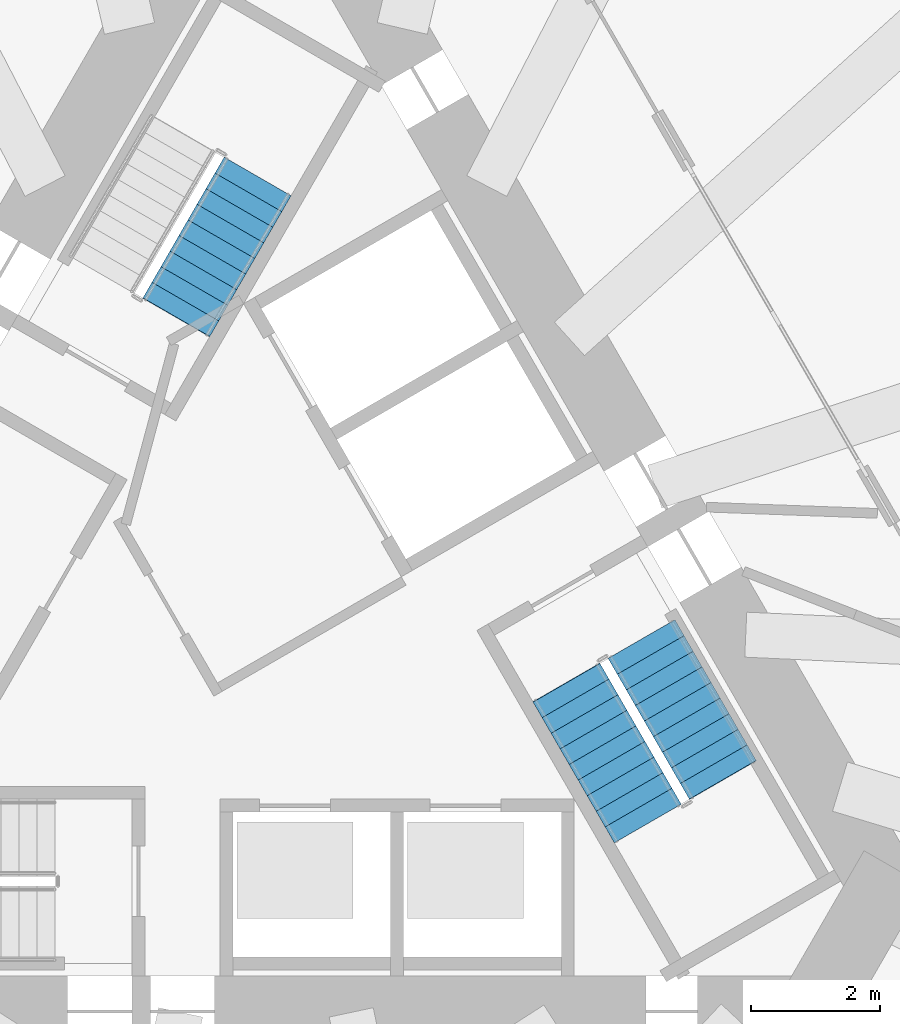
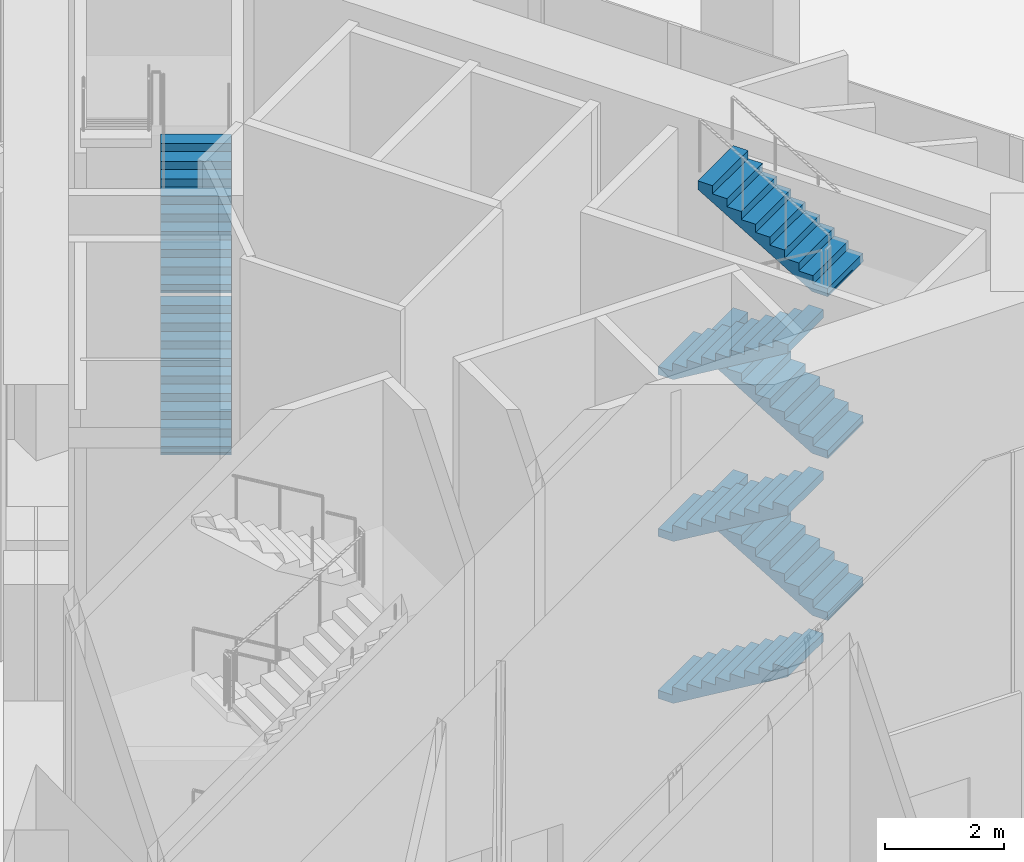
# One storey, part 10 of 13: 8 stair flights, 2 elements without a shape of their own.
"""IFC4 building model written with IfcOpenShell, lengths in metres."""

from ifc_helpers import new_model, si_unit, direction, frame, origin, place, context, subcontext, project, spatial, polyline, outline, extrude, material, layer, layer_set, type_object, element, aggregate, save


model = new_model("IFC4")

# Units and contexts
model_context = context("Model", 3, precision=1e-05, world=origin(), true_north=direction((0.0, 1.0)))
body_context = subcontext(model_context, "Body", "Model", "MODEL_VIEW")
ifc_project = project(units=[si_unit("LENGTHUNIT", "METRE"), si_unit("AREAUNIT", "SQUARE_METRE"), si_unit("VOLUMEUNIT", "CUBIC_METRE"), si_unit("PLANEANGLEUNIT", "RADIAN"), si_unit("MASSUNIT", "GRAM", prefix="KILO")], contexts=[model_context])

# Site, building, storey
site_placement = place(None, origin())
site = spatial("IfcSite", under=ifc_project, at=site_placement, CompositionType="ELEMENT")
building_placement = place(site_placement, origin())
building = spatial("IfcBuilding", under=site, at=building_placement, Name="Tramontana Tower", CompositionType="ELEMENT")
storey_placement = place(building_placement, origin())
storey = spatial("IfcBuildingStorey", under=building, at=storey_placement, Name="L00", CompositionType="ELEMENT", Elevation=0.0)

# Stair, stair flights
ifc_material_1 = material(Name="Concrete 40 MPa", Category="concrete")
stair_type = type_object("IfcStairType", Name="EXIT STAIR 60 RISERS", PredefinedType="HALF_TURN_STAIR", material=ifc_material_1)
stair_1_placement = place(storey_placement, origin())
stair_1 = element("IfcStair", 1, at=stair_1_placement, inside=storey, type_object=stair_type, Name="L00 Exit stair ST1", PredefinedType="HALF_TURN_STAIR")
ifc_material_2 = material(Name="Concrete 40 MPa", Category="concrete")
ifc_layer = layer(ifc_material_2, 0.14990234375)
ifc_layer_set = layer_set([ifc_layer], Name="EXIT STAIR FLIGHT")
stair_flight_type = type_object("IfcStairFlightType", Name="EXIT STAIR FLIGHT", PredefinedType="STRAIGHT", material=ifc_layer_set)
stair_flight_1_placement = place(storey_placement, frame((-1.39111328125, 4.590576171875, 3.333251953125), z_axis=(0.0, 0.0, 1.0), x_axis=(0.5, 0.866025403784, 0.0)))
stair_flight_1 = element("IfcStairFlight", 2, at=stair_flight_1_placement, type_object=stair_flight_type, Name="ST1 flight 3", NumberOfRisers=10, NumberOfTreads=9, PredefinedType="STRAIGHT", RiserHeight=0.166666667, TreadLength=0.28, context=body_context, shape_type="SweptSolid", body=[
    extrude(outline(polyline([(-0.006103515625, 0.0), (-0.006103515625, 0.0400390625), (0.0, 0.0400390625), (0.0, 0.166748046875), (0.280029296875, 0.166748046875), (0.280029296875, 0.333251953125), (0.56005859375, 0.333251953125), (0.56005859375, 0.5), (0.840087890625, 0.5), (0.840087890625, 0.666748046875), (1.1201171875, 0.666748046875), (1.1201171875, 0.833251953125), (1.39990234375, 0.833251953125), (1.39990234375, 1.0), (1.679931640625, 1.0), (1.679931640625, 1.166748046875), (1.9599609375, 1.166748046875), (1.9599609375, 1.333251953125), (2.239990234375, 1.333251953125), (2.239990234375, 1.5), (2.52001953125, 1.5), (2.52587890625, 1.5), (2.52587890625, 1.325439453125), (0.299072265625, 0.0), (-0.006103515625, 0.0)])), frame((0.0, 0.60009765625, 0.0), z_axis=(0.0, -1.0, 0.0), x_axis=(1.0, 0.0, 0.0)), (0.0, 0.0, 1.0), 1.199951171875),
])
stair_flight_2_placement = place(storey_placement, frame((-1.39111328125, 4.590576171875, 6.666748046875), z_axis=(0.0, 0.0, 1.0), x_axis=(0.5, 0.866025403784, 0.0)))
stair_flight_2 = element("IfcStairFlight", 3, at=stair_flight_2_placement, type_object=stair_flight_type, Name="ST1 flight 5", NumberOfRisers=10, NumberOfTreads=9, PredefinedType="STRAIGHT", RiserHeight=0.166666667, TreadLength=0.28, context=body_context, shape_type="SweptSolid", body=[
    extrude(outline(polyline([(-0.006103515625, 0.0), (-0.006103515625, 0.0400390625), (0.0, 0.0400390625), (0.0, 0.166748046875), (0.280029296875, 0.166748046875), (0.280029296875, 0.333251953125), (0.56005859375, 0.333251953125), (0.56005859375, 0.5), (0.840087890625, 0.5), (0.840087890625, 0.666748046875), (1.1201171875, 0.666748046875), (1.1201171875, 0.833251953125), (1.39990234375, 0.833251953125), (1.39990234375, 1.0), (1.679931640625, 1.0), (1.679931640625, 1.166748046875), (1.9599609375, 1.166748046875), (1.9599609375, 1.333251953125), (2.239990234375, 1.333251953125), (2.239990234375, 1.5), (2.52001953125, 1.5), (2.52587890625, 1.5), (2.52587890625, 1.325439453125), (0.299072265625, 0.0), (-0.006103515625, 0.0)])), frame((0.0, 0.60009765625, 0.0), z_axis=(0.0, -1.0, 0.0), x_axis=(1.0, 0.0, 0.0)), (0.0, 0.0, 1.0), 1.199951171875),
])
aggregate(stair_1, [stair_flight_1, stair_flight_2])

stair_2_placement = place(storey_placement, origin())
stair_2 = element("IfcStair", 4, at=stair_2_placement, inside=storey, type_object=stair_type, Name="L00 Exit stair ST3", PredefinedType="HALF_TURN_STAIR")
stair_flight_3_placement = place(storey_placement, frame((4.671142578125, -1.090576171875, 0.0), z_axis=(0.0, 0.0, 1.0), x_axis=(0.5, -0.866025403784, 0.0)))
stair_flight_3 = element("IfcStairFlight", 5, at=stair_flight_3_placement, type_object=stair_flight_type, Name="ST3 flight 1", NumberOfRisers=10, NumberOfTreads=9, PredefinedType="STRAIGHT", RiserHeight=0.166666667, TreadLength=0.28, context=body_context, shape_type="SweptSolid", body=[
    extrude(outline(polyline([(-0.006103515625, 0.0), (-0.006103515625, 0.0400390625), (0.0, 0.0400390625), (0.0, 0.166748046875), (0.280029296875, 0.166748046875), (0.280029296875, 0.333251953125), (0.56005859375, 0.333251953125), (0.56005859375, 0.5), (0.840087890625, 0.5), (0.840087890625, 0.666748046875), (1.1201171875, 0.666748046875), (1.1201171875, 0.833251953125), (1.39990234375, 0.833251953125), (1.39990234375, 1.0), (1.679931640625, 1.0), (1.679931640625, 1.166748046875), (1.9599609375, 1.166748046875), (1.9599609375, 1.333251953125), (2.239990234375, 1.333251953125), (2.239990234375, 1.5), (2.52001953125, 1.5), (2.52587890625, 1.5), (2.52587890625, 1.325439453125), (0.299072265625, 0.0), (-0.006103515625, 0.0)])), frame((0.0, 0.60009765625, 0.0), z_axis=(0.0, -1.0, 0.0), x_axis=(1.0, 0.0, 0.0)), (0.0, 0.0, 1.0), 1.199951171875),
])
stair_flight_4_placement = place(storey_placement, frame((7.100341796875, -2.597900390625, 1.666748046875), z_axis=(0.0, 0.0, 1.0), x_axis=(-0.5, 0.866025403784, 0.0)))
stair_flight_4 = element("IfcStairFlight", 6, at=stair_flight_4_placement, type_object=stair_flight_type, Name="ST3 flight 2", NumberOfRisers=10, NumberOfTreads=9, PredefinedType="STRAIGHT", RiserHeight=0.166666667, TreadLength=0.28, context=body_context, shape_type="SweptSolid", body=[
    extrude(outline(polyline([(-0.006103515625, 0.0), (-0.006103515625, 0.0400390625), (0.0, 0.0400390625), (0.0, 0.166748046875), (0.280029296875, 0.166748046875), (0.280029296875, 0.333251953125), (0.56005859375, 0.333251953125), (0.56005859375, 0.5), (0.840087890625, 0.5), (0.840087890625, 0.666748046875), (1.1201171875, 0.666748046875), (1.1201171875, 0.833251953125), (1.39990234375, 0.833251953125), (1.39990234375, 1.0), (1.679931640625, 1.0), (1.679931640625, 1.166748046875), (1.9599609375, 1.166748046875), (1.9599609375, 1.333251953125), (2.239990234375, 1.333251953125), (2.239990234375, 1.5), (2.52001953125, 1.5), (2.52587890625, 1.5), (2.52587890625, 1.325439453125), (0.299072265625, 0.0), (-0.006103515625, 0.0)])), frame((0.0, 0.60009765625, 0.0), z_axis=(0.0, -1.0, 0.0), x_axis=(1.0, 0.0, 0.0)), (0.0, 0.0, 1.0), 1.199951171875),
])
stair_flight_5_placement = place(storey_placement, frame((4.671142578125, -1.090576171875, 3.333251953125), z_axis=(0.0, 0.0, 1.0), x_axis=(0.5, -0.866025403784, 0.0)))
stair_flight_5 = element("IfcStairFlight", 7, at=stair_flight_5_placement, type_object=stair_flight_type, Name="ST3 flight 3", NumberOfRisers=10, NumberOfTreads=9, PredefinedType="STRAIGHT", RiserHeight=0.166666667, TreadLength=0.28, context=body_context, shape_type="SweptSolid", body=[
    extrude(outline(polyline([(-0.006103515625, 0.0), (-0.006103515625, 0.0400390625), (0.0, 0.0400390625), (0.0, 0.166748046875), (0.280029296875, 0.166748046875), (0.280029296875, 0.333251953125), (0.56005859375, 0.333251953125), (0.56005859375, 0.5), (0.840087890625, 0.5), (0.840087890625, 0.666748046875), (1.1201171875, 0.666748046875), (1.1201171875, 0.833251953125), (1.39990234375, 0.833251953125), (1.39990234375, 1.0), (1.679931640625, 1.0), (1.679931640625, 1.166748046875), (1.9599609375, 1.166748046875), (1.9599609375, 1.333251953125), (2.239990234375, 1.333251953125), (2.239990234375, 1.5), (2.52001953125, 1.5), (2.52587890625, 1.5), (2.52587890625, 1.325439453125), (0.299072265625, 0.0), (-0.006103515625, 0.0)])), frame((0.0, 0.60009765625, 0.0), z_axis=(0.0, -1.0, 0.0), x_axis=(1.0, 0.0, 0.0)), (0.0, 0.0, 1.0), 1.199951171875),
])
stair_flight_6_placement = place(storey_placement, frame((7.100341796875, -2.597900390625, 5.0), z_axis=(0.0, 0.0, 1.0), x_axis=(-0.5, 0.866025403784, 0.0)))
stair_flight_6 = element("IfcStairFlight", 8, at=stair_flight_6_placement, type_object=stair_flight_type, Name="ST3 flight 4", NumberOfRisers=10, NumberOfTreads=9, PredefinedType="STRAIGHT", RiserHeight=0.166666667, TreadLength=0.28, context=body_context, shape_type="SweptSolid", body=[
    extrude(outline(polyline([(-0.006103515625, 0.0), (-0.006103515625, 0.0400390625), (0.0, 0.0400390625), (0.0, 0.166748046875), (0.280029296875, 0.166748046875), (0.280029296875, 0.333251953125), (0.56005859375, 0.333251953125), (0.56005859375, 0.5), (0.840087890625, 0.5), (0.840087890625, 0.666748046875), (1.1201171875, 0.666748046875), (1.1201171875, 0.833251953125), (1.39990234375, 0.833251953125), (1.39990234375, 1.0), (1.679931640625, 1.0), (1.679931640625, 1.166748046875), (1.9599609375, 1.166748046875), (1.9599609375, 1.333251953125), (2.239990234375, 1.333251953125), (2.239990234375, 1.5), (2.52001953125, 1.5), (2.52587890625, 1.5), (2.52587890625, 1.325439453125), (0.299072265625, 0.0), (-0.006103515625, 0.0)])), frame((0.0, 0.60009765625, 0.0), z_axis=(0.0, -1.0, 0.0), x_axis=(1.0, 0.0, 0.0)), (0.0, 0.0, 1.0), 1.199951171875),
])
stair_flight_7_placement = place(storey_placement, frame((4.671142578125, -1.090576171875, 6.666748046875), z_axis=(0.0, 0.0, 1.0), x_axis=(0.5, -0.866025403784, 0.0)))
stair_flight_7 = element("IfcStairFlight", 9, at=stair_flight_7_placement, type_object=stair_flight_type, Name="ST3 flight 5", NumberOfRisers=10, NumberOfTreads=9, PredefinedType="STRAIGHT", RiserHeight=0.166666667, TreadLength=0.28, context=body_context, shape_type="SweptSolid", body=[
    extrude(outline(polyline([(-0.006103515625, 0.0), (-0.006103515625, 0.0400390625), (0.0, 0.0400390625), (0.0, 0.166748046875), (0.280029296875, 0.166748046875), (0.280029296875, 0.333251953125), (0.56005859375, 0.333251953125), (0.56005859375, 0.5), (0.840087890625, 0.5), (0.840087890625, 0.666748046875), (1.1201171875, 0.666748046875), (1.1201171875, 0.833251953125), (1.39990234375, 0.833251953125), (1.39990234375, 1.0), (1.679931640625, 1.0), (1.679931640625, 1.166748046875), (1.9599609375, 1.166748046875), (1.9599609375, 1.333251953125), (2.239990234375, 1.333251953125), (2.239990234375, 1.5), (2.52001953125, 1.5), (2.52587890625, 1.5), (2.52587890625, 1.325439453125), (0.299072265625, 0.0), (-0.006103515625, 0.0)])), frame((0.0, 0.60009765625, 0.0), z_axis=(0.0, -1.0, 0.0), x_axis=(1.0, 0.0, 0.0)), (0.0, 0.0, 1.0), 1.199951171875),
])
stair_flight_8_placement = place(storey_placement, frame((7.100341796875, -2.597900390625, 8.333251953125), z_axis=(0.0, 0.0, 1.0), x_axis=(-0.5, 0.866025403784, 0.0)))
stair_flight_8 = element("IfcStairFlight", 10, at=stair_flight_8_placement, type_object=stair_flight_type, Name="ST3 flight 6", NumberOfRisers=10, NumberOfTreads=9, PredefinedType="STRAIGHT", RiserHeight=0.166666667, TreadLength=0.28, context=body_context, shape_type="SweptSolid", body=[
    extrude(outline(polyline([(-0.006103515625, 0.0), (-0.006103515625, 0.0400390625), (0.0, 0.0400390625), (0.0, 0.166748046875), (0.280029296875, 0.166748046875), (0.280029296875, 0.333251953125), (0.56005859375, 0.333251953125), (0.56005859375, 0.5), (0.840087890625, 0.5), (0.840087890625, 0.666748046875), (1.1201171875, 0.666748046875), (1.1201171875, 0.833251953125), (1.39990234375, 0.833251953125), (1.39990234375, 1.0), (1.679931640625, 1.0), (1.679931640625, 1.166748046875), (1.9599609375, 1.166748046875), (1.9599609375, 1.333251953125), (2.239990234375, 1.333251953125), (2.239990234375, 1.5), (2.52001953125, 1.5), (2.52587890625, 1.5), (2.52587890625, 1.325439453125), (0.299072265625, 0.0), (-0.006103515625, 0.0)])), frame((0.0, 0.60009765625, 0.0), z_axis=(0.0, -1.0, 0.0), x_axis=(1.0, 0.0, 0.0)), (0.0, 0.0, 1.0), 1.199951171875),
])
aggregate(stair_2, [stair_flight_3, stair_flight_4, stair_flight_5, stair_flight_6, stair_flight_7, stair_flight_8])

save(model, "model.ifc")
